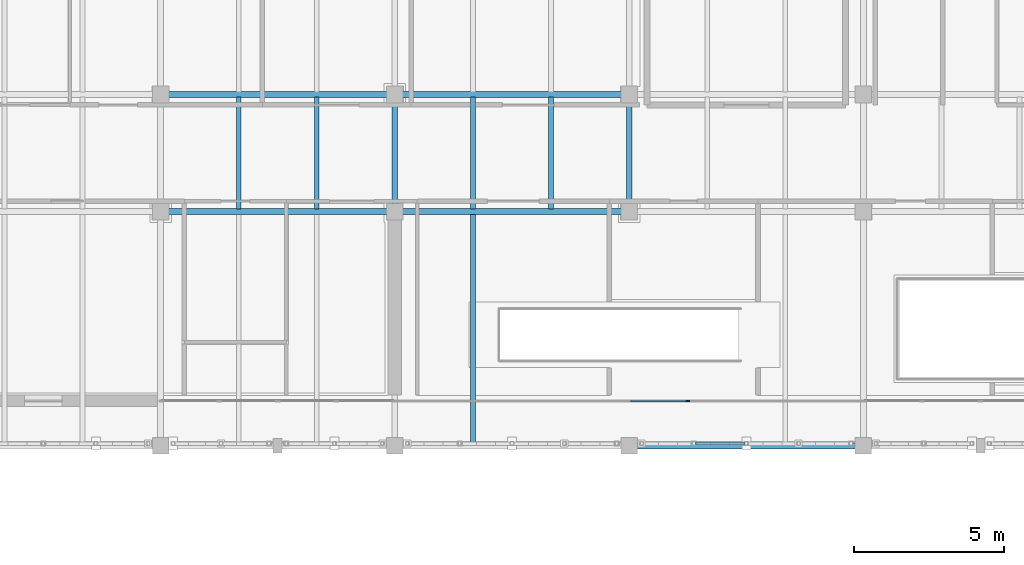
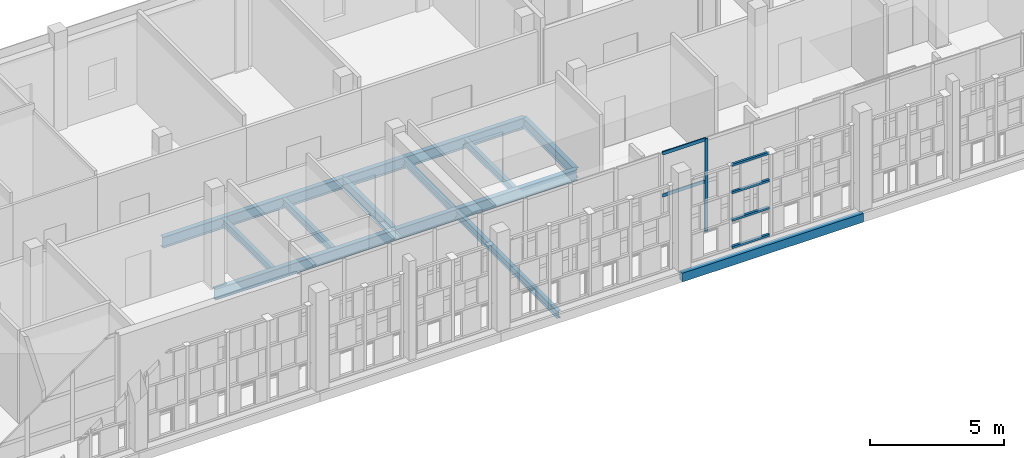
# One storey, part 57 of 119: 12 beams, 7 members, 1 element without a shape of its own.
"""IFC4 building model written with IfcOpenShell, lengths in metres."""

from ifc_helpers import new_model, si_unit, direction, frame, origin, origin_2d, place, context, subcontext, project, spatial, rectangle, hollow_rectangle, i_section, extrude, material, layer, layer_set, material_profile, profile_set, type_object, element, aggregate, save


model = new_model("IFC4")

# Units and contexts
model_context = context("Model", 3, precision=1e-05, world=origin(), true_north=direction((0.0, 1.0)))
body_context = subcontext(model_context, "Body", "Model", "MODEL_VIEW")
ifc_project = project(units=[si_unit("LENGTHUNIT", "METRE"), si_unit("AREAUNIT", "SQUARE_METRE"), si_unit("VOLUMEUNIT", "CUBIC_METRE"), si_unit("PLANEANGLEUNIT", "RADIAN"), si_unit("MASSUNIT", "GRAM", prefix="KILO")], contexts=[model_context])

# Site, building, storey
site_placement = place(None, origin())
site = spatial("IfcSite", under=ifc_project, at=site_placement, CompositionType="ELEMENT")
building_placement = place(site_placement, origin())
building = spatial("IfcBuilding", under=site, at=building_placement, Name="Celorna Specialist Clinic", CompositionType="ELEMENT")
storey_placement = place(building_placement, frame((0.0, 0.0, 9.60009765625)))
storey = spatial("IfcBuildingStorey", under=building, at=storey_placement, Name="L02", CompositionType="ELEMENT", Elevation=9.60009765625)

# Beams
ifc_material_1 = material(Name="Steel S355", Category="steel")
ifc_material_profile_1 = material_profile(ifc_material_1, i_section(OverallWidth=0.199951171875, OverallDepth=0.5, WebThickness=0.01025390625, FlangeThickness=0.01611328125, at=origin_2d()), Name="IPE 500")
ifc_profile_set_1 = profile_set([ifc_material_profile_1], Name="Steel S355")
beam_type_1 = type_object("IfcBeamType", Name="BM-08", PredefinedType="BEAM", material=ifc_profile_set_1)
beam_1_placement = place(storey_placement, frame((93.60009765625, 104.300048828125, -0.510009765625), z_axis=(1.0, 0.0, 0.0), x_axis=(0.0, 1.0, 0.0)))
element("IfcBeam", 1, at=beam_1_placement, inside=storey, type_object=beam_type_1, Name="Primary girder BM-08 #1083", PredefinedType="BEAM", context=body_context, shape_type="SweptSolid", body=[
    extrude(i_section(OverallWidth=0.199951171875, OverallDepth=0.5, WebThickness=0.01025390625, FlangeThickness=0.01611328125, at=origin_2d()), origin(), (0.0, 0.0, 1.0), 7.7998046875),
])
beam_2_placement = place(storey_placement, frame((101.39990234375, 104.300048828125, -0.510009765625), z_axis=(1.0, 0.0, 0.0), x_axis=(0.0, 1.0, 0.0)))
element("IfcBeam", 2, at=beam_2_placement, inside=storey, type_object=beam_type_1, Name="Primary girder BM-08 #1084", PredefinedType="BEAM", context=body_context, shape_type="SweptSolid", body=[
    extrude(i_section(OverallWidth=0.199951171875, OverallDepth=0.5, WebThickness=0.01025390625, FlangeThickness=0.01611328125, at=origin_2d()), origin(), (0.0, 0.0, 1.0), 7.800048828125),
])
beam_3_placement = place(storey_placement, frame((93.60009765625, 108.199951171875, -0.510009765625), z_axis=(1.0, 0.0, 0.0), x_axis=(0.0, 1.0, 0.0)))
element("IfcBeam", 3, at=beam_3_placement, inside=storey, type_object=beam_type_1, Name="Primary girder BM-08 #1094", PredefinedType="BEAM", context=body_context, shape_type="SweptSolid", body=[
    extrude(i_section(OverallWidth=0.199951171875, OverallDepth=0.5, WebThickness=0.01025390625, FlangeThickness=0.01611328125, at=origin_2d()), origin(), (0.0, 0.0, 1.0), 7.7998046875),
])
beam_4_placement = place(storey_placement, frame((101.39990234375, 108.199951171875, -0.510009765625), z_axis=(1.0, 0.0, 0.0), x_axis=(0.0, 1.0, 0.0)))
element("IfcBeam", 4, at=beam_4_placement, inside=storey, type_object=beam_type_1, Name="Primary girder BM-08 #1095", PredefinedType="BEAM", context=body_context, shape_type="SweptSolid", body=[
    extrude(i_section(OverallWidth=0.199951171875, OverallDepth=0.5, WebThickness=0.01025390625, FlangeThickness=0.01611328125, at=origin_2d()), origin(), (0.0, 0.0, 1.0), 7.800048828125),
])
ifc_material_profile_2 = material_profile(ifc_material_1, i_section(OverallWidth=0.18994140625, OverallDepth=0.449951171875, WebThickness=0.009521484375, FlangeThickness=0.0146484375, at=origin_2d()), Name="IPE 450")
ifc_profile_set_2 = profile_set([ifc_material_profile_2], Name="Steel S355")
beam_type_2 = type_object("IfcBeamType", Name="BM-09", PredefinedType="BEAM", material=ifc_profile_set_2)
for number, where, z_axis, x_axis, name in (
    (5, (101.39990234375, 104.300048828125, -0.485107421875), (0.0, 1.0, 0.0), (-1.0, 0.0, 0.0), "Transverse girder BM-09 #1132"),
    (6, (109.199951171875, 104.300048828125, -0.485107421875), (0.0, 1.0, 0.0), (-1.0, 0.0, 0.0), "Transverse girder BM-09 #1134"),
):
    element("IfcBeam", number, at=place(storey_placement, frame(where, z_axis=z_axis, x_axis=x_axis)), inside=storey, type_object=beam_type_2, Name=name, PredefinedType="BEAM", context=body_context, shape_type="SweptSolid", body=[
        extrude(i_section(OverallWidth=0.18994140625, OverallDepth=0.449951171875, WebThickness=0.009521484375, FlangeThickness=0.0146484375, at=origin_2d()), origin(), (0.0, 0.0, 1.0), 3.89990234375),
    ])
ifc_material_profile_3 = material_profile(ifc_material_1, i_section(OverallWidth=0.159912109375, OverallDepth=0.330078125, WebThickness=0.007568359375, FlangeThickness=0.011474609375, at=origin_2d()), Name="IPE 330")
ifc_profile_set_3 = profile_set([ifc_material_profile_3], Name="Steel S355")
beam_type_3 = type_object("IfcBeamType", Name="BM-12", PredefinedType="JOIST", material=ifc_profile_set_3)
for number, where, z_axis, x_axis, name in (
    (7, (96.199951171875, 104.387939453125, -0.425048828125), (0.0, 1.0, 0.0), (-1.0, 0.0, 0.0), "Secondary floor joist BM-12 #1179"),
    (8, (98.800048828125, 104.387939453125, -0.425048828125), (0.0, 1.0, 0.0), (-1.0, 0.0, 0.0), "Secondary floor joist BM-12 #1180"),
):
    element("IfcBeam", number, at=place(storey_placement, frame(where, z_axis=z_axis, x_axis=x_axis)), inside=storey, type_object=beam_type_3, Name=name, PredefinedType="JOIST", context=body_context, shape_type="SweptSolid", body=[
        extrude(i_section(OverallWidth=0.159912109375, OverallDepth=0.330078125, WebThickness=0.007568359375, FlangeThickness=0.011474609375, at=origin_2d()), origin(), (0.0, 0.0, 1.0), 3.72412109375),
    ])
beam_5_placement = place(storey_placement, frame((104.0, 96.587890625, -0.425048828125), z_axis=(0.0, 1.0, 0.0), x_axis=(-1.0, 0.0, 0.0)))
element("IfcBeam", 9, at=beam_5_placement, inside=storey, type_object=beam_type_3, Name="Secondary floor joist BM-12 #1183", PredefinedType="JOIST", context=body_context, shape_type="SweptSolid", body=[
    extrude(i_section(OverallWidth=0.159912109375, OverallDepth=0.330078125, WebThickness=0.007568359375, FlangeThickness=0.011474609375, at=origin_2d()), origin(), (0.0, 0.0, 1.0), 7.6240234375),
])
for number, where, z_axis, x_axis, name in (
    (10, (104.0, 104.387939453125, -0.425048828125), (0.0, 1.0, 0.0), (-1.0, 0.0, 0.0), "Secondary floor joist BM-12 #1184"),
    (11, (106.60009765625, 104.387939453125, -0.425048828125), (0.0, 1.0, 0.0), (-1.0, 0.0, 0.0), "Secondary floor joist BM-12 #1185"),
):
    element("IfcBeam", number, at=place(storey_placement, frame(where, z_axis=z_axis, x_axis=x_axis)), inside=storey, type_object=beam_type_3, Name=name, PredefinedType="JOIST", context=body_context, shape_type="SweptSolid", body=[
        extrude(i_section(OverallWidth=0.159912109375, OverallDepth=0.330078125, WebThickness=0.007568359375, FlangeThickness=0.011474609375, at=origin_2d()), origin(), (0.0, 0.0, 1.0), 3.72412109375),
    ])
ifc_material_profile_4 = material_profile(ifc_material_1, hollow_rectangle(XDim=0.199951171875, YDim=0.39990234375, WallThickness=0.011962890625, at=origin_2d()), Name="RHS 200x400x12")
ifc_profile_set_4 = profile_set([ifc_material_profile_4], Name="Steel S355")
beam_type_4 = type_object("IfcBeamType", Name="BM-15", PredefinedType="SPANDREL", material=ifc_profile_set_4)
beam_6_placement = place(storey_placement, frame((109.199951171875, 96.5, -0.460205078125), z_axis=(1.0, 0.0, 0.0), x_axis=(0.0, 1.0, 0.0)))
element("IfcBeam", 12, at=beam_6_placement, inside=storey, type_object=beam_type_4, Name="Spandrel beam BM-15 #1074", PredefinedType="SPANDREL", context=body_context, shape_type="SweptSolid", body=[
    extrude(hollow_rectangle(XDim=0.199951171875, YDim=0.39990234375, WallThickness=0.011962890625, at=origin_2d()), origin(), (0.0, 0.0, 1.0), 7.800048828125),
])

# Members
ifc_material_profile_5 = material_profile(ifc_material_1, hollow_rectangle(XDim=0.10009765625, YDim=0.10009765625, WallThickness=0.006103515625, at=origin_2d()), Name="SHS 100x100x6")
ifc_profile_set_5 = profile_set([ifc_material_profile_5], Name="Steel S355")
member_type_1 = type_object("IfcMemberType", Name="MB-12", PredefinedType="STUD", material=ifc_profile_set_5)
for number, where, z_axis, x_axis, name in (
    (13, (111.41748046875, 96.580078125, 0.0498046875), (1.0, 0.0, 0.0), (0.0, 1.0, 0.0), "Perforated screen rail #1175"),
    (14, (111.41748046875, 96.580078125, 1.296630859375), (1.0, 0.0, 0.0), (0.0, 1.0, 0.0), "Perforated screen rail #1176"),
    (15, (111.41748046875, 96.580078125, 2.543212890625), (1.0, 0.0, 0.0), (0.0, 1.0, 0.0), "Perforated screen rail #1177"),
    (16, (111.41748046875, 96.580078125, 3.789794921875), (1.0, 0.0, 0.0), (0.0, 1.0, 0.0), "Perforated screen rail #1178"),
):
    element("IfcMember", number, at=place(storey_placement, frame(where, z_axis=z_axis, x_axis=x_axis)), inside=storey, type_object=member_type_1, Name=name, PredefinedType="STUD", context=body_context, shape_type="SweptSolid", body=[
        extrude(hollow_rectangle(XDim=0.10009765625, YDim=0.10009765625, WallThickness=0.006103515625, at=origin_2d()), origin(), (0.0, 0.0, 1.0), 1.62255859375),
    ])

# Curtain wall, members
ifc_material_2 = material(Name="Thermally broken aluminium and solar-control glass curtain wall", Category="aluminium")
ifc_layer = layer(ifc_material_2, 0.159912109375, Name="Thermally broken aluminium and solar-control glass curtain wall")
ifc_layer_set = layer_set([ifc_layer], Name="Thermally broken aluminium and solar-control glass curtain wall")
curtain_wall_type = type_object("IfcCurtainWallType", Name="CW-32", PredefinedType="NOTDEFINED", material=ifc_layer_set)
curtain_wall_placement = place(storey_placement, origin())
curtain_wall = element("IfcCurtainWall", 17, at=curtain_wall_placement, inside=storey, type_object=curtain_wall_type, Name="Curtain wall CW-32 #127", PredefinedType="NOTDEFINED")
ifc_material_3 = material(Name="Anodized aluminium mullion", Category="aluminium")
ifc_material_profile_6 = material_profile(ifc_material_3, rectangle(XDim=0.050048828125, YDim=0.139892578125, at=origin_2d()), Name="ALU MULLION 50x140")
ifc_profile_set_6 = profile_set([ifc_material_profile_6], Name="Anodized aluminium mullion")
member_type_2 = type_object("IfcMemberType", Name="ML-03", PredefinedType="MULLION", material=ifc_profile_set_6)
member_1_placement = place(storey_placement, frame((111.152099609375, 98.0, 0.0), z_axis=(0.0, 0.0, 1.0), x_axis=(0.0, -1.0, 0.0)))
member_1 = element("IfcMember", 18, at=member_1_placement, type_object=member_type_2, Name="CW-32 mullion 4", PredefinedType="MULLION", context=body_context, shape_type="SweptSolid", body=[
    extrude(rectangle(XDim=0.050048828125, YDim=0.139892578125, at=origin_2d()), origin(), (0.0, 0.0, 1.0), 4.239990234375),
])
ifc_material_4 = material(Name="Anodized aluminium transom", Category="aluminium")
ifc_material_profile_7 = material_profile(ifc_material_4, rectangle(XDim=0.050048828125, YDim=0.14990234375, at=origin_2d()), Name="ALU TRANSOM 50x150")
ifc_profile_set_7 = profile_set([ifc_material_profile_7], Name="Anodized aluminium transom")
member_type_3 = type_object("IfcMemberType", Name="TR-02", PredefinedType="USERDEFINED", material=ifc_profile_set_7)
member_2_placement = place(storey_placement, frame((111.126953125, 98.0, 2.2998046875), z_axis=(-1.0, 0.0, 0.0), x_axis=(0.0, -1.0, 0.0)))
member_2 = element("IfcMember", 19, at=member_2_placement, type_object=member_type_3, Name="CW-32 transom 4.3", ObjectType="TRANSOM", PredefinedType="USERDEFINED", context=body_context, shape_type="SweptSolid", body=[
    extrude(rectangle(XDim=0.050048828125, YDim=0.14990234375, at=origin_2d()), origin(), (0.0, 0.0, 1.0), 1.873046875),
])
member_3_placement = place(storey_placement, frame((111.126953125, 98.0, 4.21484375), z_axis=(-1.0, 0.0, 0.0), x_axis=(0.0, -1.0, 0.0)))
member_3 = element("IfcMember", 20, at=member_3_placement, type_object=member_type_3, Name="CW-32 transom 4.4", ObjectType="TRANSOM", PredefinedType="USERDEFINED", context=body_context, shape_type="SweptSolid", body=[
    extrude(rectangle(XDim=0.050048828125, YDim=0.14990234375, at=origin_2d()), origin(), (0.0, 0.0, 1.0), 1.873046875),
])
aggregate(curtain_wall, [member_1, member_2, member_3])

save(model, "model.ifc")
